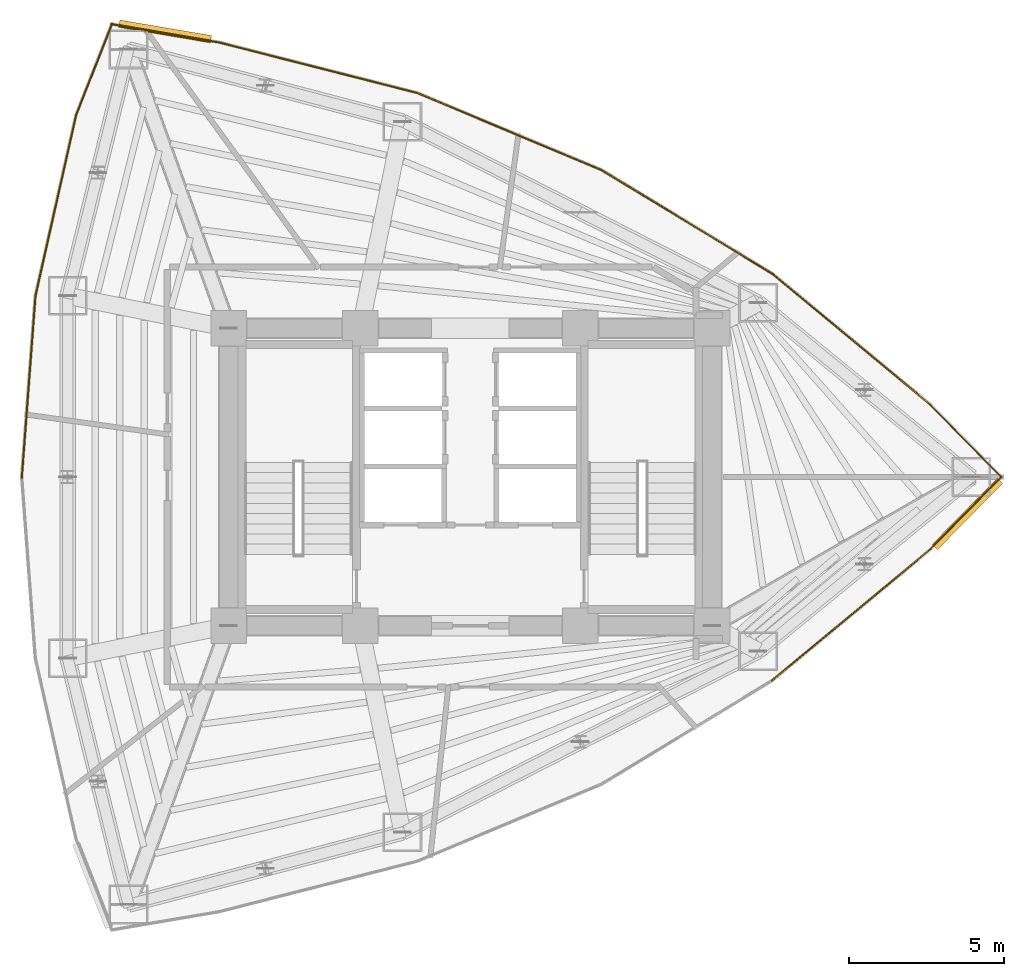
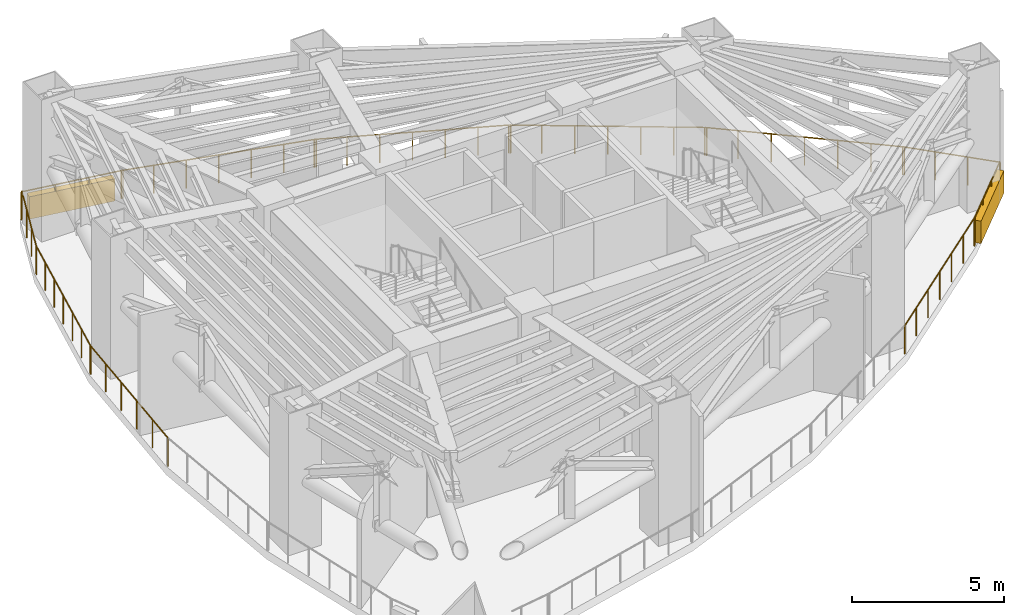
# One storey, part 7 of 7: 11 railings, 2 shading devices.
"""IFC4 building model written with IfcOpenShell, lengths in metres."""

from ifc_helpers import new_model, si_unit, direction, frame, origin, origin_2d, place, context, subcontext, project, spatial, rectangle, circle, extrude, material, layer, layer_set, type_object, element, save


model = new_model("IFC4")

# Units and contexts
model_context = context("Model", 3, precision=1e-05, world=origin(), true_north=direction((0.0, 1.0)))
body_context = subcontext(model_context, "Body", "Model", "MODEL_VIEW")
ifc_project = project(units=[si_unit("LENGTHUNIT", "METRE"), si_unit("AREAUNIT", "SQUARE_METRE"), si_unit("VOLUMEUNIT", "CUBIC_METRE"), si_unit("PLANEANGLEUNIT", "RADIAN"), si_unit("MASSUNIT", "GRAM", prefix="KILO")], contexts=[model_context])

# Site, building, storey
site_placement = place(None, origin())
site = spatial("IfcSite", under=ifc_project, at=site_placement, CompositionType="ELEMENT")
building_placement = place(site_placement, origin())
building = spatial("IfcBuilding", under=site, at=building_placement, Name="Menara Vayukalpa", CompositionType="ELEMENT")
storey_placement = place(building_placement, frame((0.0, 0.0, 83.39990234375)))
storey = spatial("IfcBuildingStorey", under=building, at=storey_placement, Name="L20", CompositionType="ELEMENT", Elevation=83.39990234375)

# Railings
ifc_material_1 = material(Name="Laminated Glass and Stainless Steel 316 Guardrail", Category="steel")
railing_type = type_object("IfcRailingType", Name="RLG-EXT115", PredefinedType="GUARDRAIL", material=ifc_material_1)
railing_1_placement = place(storey_placement, frame((40.4501953125, 19.67578125, 0.0)))
element("IfcRailing", 1, at=railing_1_placement, inside=storey, type_object=railing_type, Name="L20 Wind Floor Perimeter Guardrail 01", PredefinedType="GUARDRAIL", context=body_context, shape_type="SweptSolid", body=[
    extrude(circle(Radius=0.02392578125, at=origin_2d()), frame((0.0, 0.0, 1.1259765625), z_axis=(-0.76975576194, -0.638338520661, 0.0), x_axis=(0.638338520661, -0.76975576194, 0.0)), (0.0, 0.0, 1.0), 6.654541015625),
    extrude(circle(Radius=0.02099609375, at=origin_2d()), origin(), (0.0, 0.0, 1.0), 1.101806640625),
    extrude(circle(Radius=0.02099609375, at=origin_2d()), frame((-0.853759765625, -0.7080078125, 0.0)), (0.0, 0.0, 1.0), 1.101806640625),
    extrude(circle(Radius=0.02099609375, at=origin_2d()), frame((-1.70751953125, -1.416015625, 0.0)), (0.0, 0.0, 1.0), 1.101806640625),
    extrude(circle(Radius=0.02099609375, at=origin_2d()), frame((-2.56103515625, -2.1240234375, 0.0)), (0.0, 0.0, 1.0), 1.101806640625),
    extrude(circle(Radius=0.02099609375, at=origin_2d()), frame((-3.414794921875, -2.831787109375, 0.0)), (0.0, 0.0, 1.0), 1.101806640625),
    extrude(circle(Radius=0.02099609375, at=origin_2d()), frame((-4.2685546875, -3.539794921875, 0.0)), (0.0, 0.0, 1.0), 1.101806640625),
    extrude(circle(Radius=0.02099609375, at=origin_2d()), frame((-5.122314453125, -4.247802734375, 0.0)), (0.0, 0.0, 1.0), 1.101806640625),
])
railing_2_placement = place(storey_placement, frame((11.126220703125, 21.97021484375, 0.0)))
element("IfcRailing", 2, at=railing_2_placement, inside=storey, type_object=railing_type, Name="L20 Wind Floor Perimeter Guardrail 09", PredefinedType="GUARDRAIL", context=body_context, shape_type="SweptSolid", body=[
    extrude(circle(Radius=0.02392578125, at=origin_2d()), frame((0.0, 0.0, 1.1259765625), z_axis=(0.0747735252, 0.997200541481, 0.0), x_axis=(-0.997200541481, 0.0747735252, 0.0)), (0.0, 0.0, 1.0), 5.9130859375),
    extrude(circle(Radius=0.02099609375, at=origin_2d()), origin(), (0.0, 0.0, 1.0), 1.101806640625),
    extrude(circle(Radius=0.02099609375, at=origin_2d()), frame((0.08837890625, 1.17919921875, 0.0)), (0.0, 0.0, 1.0), 1.101806640625),
    extrude(circle(Radius=0.02099609375, at=origin_2d()), frame((0.1767578125, 2.358642578125, 0.0)), (0.0, 0.0, 1.0), 1.101806640625),
    extrude(circle(Radius=0.02099609375, at=origin_2d()), frame((0.265380859375, 3.537841796875, 0.0)), (0.0, 0.0, 1.0), 1.101806640625),
    extrude(circle(Radius=0.02099609375, at=origin_2d()), frame((0.353759765625, 4.71728515625, 0.0)), (0.0, 0.0, 1.0), 1.101806640625),
    extrude(circle(Radius=0.02099609375, at=origin_2d()), frame((0.442138671875, 5.896484375, 0.0)), (0.0, 0.0, 1.0), 1.101806640625),
])
railing_3_placement = place(storey_placement, frame((11.5595703125, 27.8076171875, 0.0)))
element("IfcRailing", 3, at=railing_3_placement, inside=storey, type_object=railing_type, Name="L20 Wind Floor Perimeter Guardrail 10", PredefinedType="GUARDRAIL", context=body_context, shape_type="SweptSolid", body=[
    extrude(circle(Radius=0.02392578125, at=origin_2d()), frame((0.0, 0.0, 1.1259765625), z_axis=(0.219509310912, 0.97561040504, 0.0), x_axis=(-0.97561040504, 0.219509310912, 0.0)), (0.0, 0.0, 1.0), 6.042724609375),
    extrude(circle(Radius=0.02099609375, at=origin_2d()), origin(), (0.0, 0.0, 1.0), 1.101806640625),
    extrude(circle(Radius=0.02099609375, at=origin_2d()), frame((0.22119140625, 0.982421875, 0.0)), (0.0, 0.0, 1.0), 1.101806640625),
    extrude(circle(Radius=0.02099609375, at=origin_2d()), frame((0.442138671875, 1.965087890625, 0.0)), (0.0, 0.0, 1.0), 1.101806640625),
    extrude(circle(Radius=0.02099609375, at=origin_2d()), frame((0.6630859375, 2.94775390625, 0.0)), (0.0, 0.0, 1.0), 1.101806640625),
    extrude(circle(Radius=0.02099609375, at=origin_2d()), frame((0.88427734375, 3.93017578125, 0.0)), (0.0, 0.0, 1.0), 1.101806640625),
    extrude(circle(Radius=0.02099609375, at=origin_2d()), frame((1.10546875, 4.91259765625, 0.0)), (0.0, 0.0, 1.0), 1.101806640625),
    extrude(circle(Radius=0.02099609375, at=origin_2d()), frame((1.326416015625, 5.895263671875, 0.0)), (0.0, 0.0, 1.0), 1.101806640625),
])
railing_4_placement = place(storey_placement, frame((12.868408203125, 33.645751953125, 0.0)))
element("IfcRailing", 4, at=railing_4_placement, inside=storey, type_object=railing_type, Name="L20 Wind Floor Perimeter Guardrail 11", PredefinedType="GUARDRAIL", context=body_context, shape_type="SweptSolid", body=[
    extrude(circle(Radius=0.02392578125, at=origin_2d()), frame((0.0, 0.0, 1.1259765625), z_axis=(0.365527782828, 0.930800429728, 0.0), x_axis=(-0.930800429728, 0.365527782828, 0.0)), (0.0, 0.0, 1.0), 3.21337890625),
    extrude(circle(Radius=0.02099609375, at=origin_2d()), origin(), (0.0, 0.0, 1.0), 1.101806640625),
    extrude(circle(Radius=0.02099609375, at=origin_2d()), frame((0.3916015625, 0.9970703125, 0.0)), (0.0, 0.0, 1.0), 1.101806640625),
    extrude(circle(Radius=0.02099609375, at=origin_2d()), frame((0.782958984375, 1.993896484375, 0.0)), (0.0, 0.0, 1.0), 1.101806640625),
    extrude(circle(Radius=0.02099609375, at=origin_2d()), frame((1.174560546875, 2.990966796875, 0.0)), (0.0, 0.0, 1.0), 1.101806640625),
])
railing_5_placement = place(storey_placement, frame((14.00244140625, 36.61376953125, 0.0)))
element("IfcRailing", 5, at=railing_5_placement, inside=storey, type_object=railing_type, Name="L20 Wind Floor Perimeter Guardrail 12", PredefinedType="GUARDRAIL", context=body_context, shape_type="SweptSolid", body=[
    extrude(circle(Radius=0.02392578125, at=origin_2d()), frame((0.0, 0.0, 1.1259765625), z_axis=(0.985896769388, -0.167354593931, 0.0), x_axis=(0.167354593931, 0.985896769388, 0.0)), (0.0, 0.0, 1.0), 3.57568359375),
    extrude(circle(Radius=0.02099609375, at=origin_2d()), origin(), (0.0, 0.0, 1.0), 1.101806640625),
    extrude(circle(Radius=0.02099609375, at=origin_2d()), frame((1.175048828125, -0.199462890625, 0.0)), (0.0, 0.0, 1.0), 1.101806640625),
    extrude(circle(Radius=0.02099609375, at=origin_2d()), frame((2.35009765625, -0.39892578125, 0.0)), (0.0, 0.0, 1.0), 1.101806640625),
    extrude(circle(Radius=0.02099609375, at=origin_2d()), frame((3.525146484375, -0.598388671875, 0.0)), (0.0, 0.0, 1.0), 1.101806640625),
])
railing_6_placement = place(storey_placement, frame((17.468994140625, 36.02783203125, 0.0)))
element("IfcRailing", 6, at=railing_6_placement, inside=storey, type_object=railing_type, Name="L20 Wind Floor Perimeter Guardrail 13", PredefinedType="GUARDRAIL", context=body_context, shape_type="SweptSolid", body=[
    extrude(circle(Radius=0.02392578125, at=origin_2d()), frame((0.0, 0.0, 1.1259765625), z_axis=(0.968976990921, -0.247150947936, 0.0), x_axis=(0.247150947936, 0.968976990921, 0.0)), (0.0, 0.0, 1.0), 6.655029296875),
    extrude(circle(Radius=0.02099609375, at=origin_2d()), origin(), (0.0, 0.0, 1.0), 1.101806640625),
    extrude(circle(Radius=0.02099609375, at=origin_2d()), frame((1.07470703125, -0.274169921875, 0.0)), (0.0, 0.0, 1.0), 1.101806640625),
    extrude(circle(Radius=0.02099609375, at=origin_2d()), frame((2.1494140625, -0.54833984375, 0.0)), (0.0, 0.0, 1.0), 1.101806640625),
    extrude(circle(Radius=0.02099609375, at=origin_2d()), frame((3.22412109375, -0.822265625, 0.0)), (0.0, 0.0, 1.0), 1.101806640625),
    extrude(circle(Radius=0.02099609375, at=origin_2d()), frame((4.299072265625, -1.096435546875, 0.0)), (0.0, 0.0, 1.0), 1.101806640625),
    extrude(circle(Radius=0.02099609375, at=origin_2d()), frame((5.373779296875, -1.37060546875, 0.0)), (0.0, 0.0, 1.0), 1.101806640625),
    extrude(circle(Radius=0.02099609375, at=origin_2d()), frame((6.448486328125, -1.644775390625, 0.0)), (0.0, 0.0, 1.0), 1.101806640625),
])
railing_7_placement = place(storey_placement, frame((23.860595703125, 34.402099609375, 0.0)))
element("IfcRailing", 7, at=railing_7_placement, inside=storey, type_object=railing_type, Name="L20 Wind Floor Perimeter Guardrail 14", PredefinedType="GUARDRAIL", context=body_context, shape_type="SweptSolid", body=[
    extrude(circle(Radius=0.02392578125, at=origin_2d()), frame((0.0, 0.0, 1.1259765625), z_axis=(0.922537883867, -0.385906533802, 0.0), x_axis=(0.385906533802, 0.922537883867, 0.0)), (0.0, 0.0, 1.0), 6.509765625),
    extrude(circle(Radius=0.02099609375, at=origin_2d()), origin(), (0.0, 0.0, 1.0), 1.101806640625),
    extrude(circle(Radius=0.02099609375, at=origin_2d()), frame((1.0009765625, -0.418701171875, 0.0)), (0.0, 0.0, 1.0), 1.101806640625),
    extrude(circle(Radius=0.02099609375, at=origin_2d()), frame((2.001953125, -0.83740234375, 0.0)), (0.0, 0.0, 1.0), 1.101806640625),
    extrude(circle(Radius=0.02099609375, at=origin_2d()), frame((3.0029296875, -1.256103515625, 0.0)), (0.0, 0.0, 1.0), 1.101806640625),
    extrude(circle(Radius=0.02099609375, at=origin_2d()), frame((4.003662109375, -1.6748046875, 0.0)), (0.0, 0.0, 1.0), 1.101806640625),
    extrude(circle(Radius=0.02099609375, at=origin_2d()), frame((5.004638671875, -2.093505859375, 0.0)), (0.0, 0.0, 1.0), 1.101806640625),
    extrude(circle(Radius=0.02099609375, at=origin_2d()), frame((6.005615234375, -2.51220703125, 0.0)), (0.0, 0.0, 1.0), 1.101806640625),
])
railing_8_placement = place(storey_placement, frame((29.81298828125, 31.917236328125, 0.0)))
element("IfcRailing", 8, at=railing_8_placement, inside=storey, type_object=railing_type, Name="L20 Wind Floor Perimeter Guardrail 15", PredefinedType="GUARDRAIL", context=body_context, shape_type="SweptSolid", body=[
    extrude(circle(Radius=0.02392578125, at=origin_2d()), frame((0.0, 0.0, 1.1259765625), z_axis=(0.85465736355, -0.519192441133, 0.0), x_axis=(0.519192441133, 0.85465736355, 0.0)), (0.0, 0.0, 1.0), 6.509765625),
    extrude(circle(Radius=0.02099609375, at=origin_2d()), origin(), (0.0, 0.0, 1.0), 1.101806640625),
    extrude(circle(Radius=0.02099609375, at=origin_2d()), frame((0.92724609375, -0.563232421875, 0.0)), (0.0, 0.0, 1.0), 1.101806640625),
    extrude(circle(Radius=0.02099609375, at=origin_2d()), frame((1.8544921875, -1.126708984375, 0.0)), (0.0, 0.0, 1.0), 1.101806640625),
    extrude(circle(Radius=0.02099609375, at=origin_2d()), frame((2.78173828125, -1.68994140625, 0.0)), (0.0, 0.0, 1.0), 1.101806640625),
    extrude(circle(Radius=0.02099609375, at=origin_2d()), frame((3.709228515625, -2.253173828125, 0.0)), (0.0, 0.0, 1.0), 1.101806640625),
    extrude(circle(Radius=0.02099609375, at=origin_2d()), frame((4.636474609375, -2.816650390625, 0.0)), (0.0, 0.0, 1.0), 1.101806640625),
    extrude(circle(Radius=0.02099609375, at=origin_2d()), frame((5.563720703125, -3.3798828125, 0.0)), (0.0, 0.0, 1.0), 1.101806640625),
])
railing_9_placement = place(storey_placement, frame((35.327880859375, 28.572021484375, 0.0)))
element("IfcRailing", 9, at=railing_9_placement, inside=storey, type_object=railing_type, Name="L20 Wind Floor Perimeter Guardrail 16", PredefinedType="GUARDRAIL", context=body_context, shape_type="SweptSolid", body=[
    extrude(circle(Radius=0.02392578125, at=origin_2d()), frame((0.0, 0.0, 1.1259765625), z_axis=(0.76975576194, -0.638338520661, 0.0), x_axis=(0.638338520661, 0.76975576194, 0.0)), (0.0, 0.0, 1.0), 6.654541015625),
    extrude(circle(Radius=0.02099609375, at=origin_2d()), origin(), (0.0, 0.0, 1.0), 1.101806640625),
    extrude(circle(Radius=0.02099609375, at=origin_2d()), frame((0.853759765625, -0.7080078125, 0.0)), (0.0, 0.0, 1.0), 1.101806640625),
    extrude(circle(Radius=0.02099609375, at=origin_2d()), frame((1.70751953125, -1.416015625, 0.0)), (0.0, 0.0, 1.0), 1.101806640625),
    extrude(circle(Radius=0.02099609375, at=origin_2d()), frame((2.56103515625, -2.1240234375, 0.0)), (0.0, 0.0, 1.0), 1.101806640625),
    extrude(circle(Radius=0.02099609375, at=origin_2d()), frame((3.414794921875, -2.831787109375, 0.0)), (0.0, 0.0, 1.0), 1.101806640625),
    extrude(circle(Radius=0.02099609375, at=origin_2d()), frame((4.2685546875, -3.539794921875, 0.0)), (0.0, 0.0, 1.0), 1.101806640625),
    extrude(circle(Radius=0.02099609375, at=origin_2d()), frame((5.122314453125, -4.247802734375, 0.0)), (0.0, 0.0, 1.0), 1.101806640625),
])
railing_10_placement = place(storey_placement, frame((40.406005859375, 24.364990234375, 0.0)))
element("IfcRailing", 10, at=railing_10_placement, inside=storey, type_object=railing_type, Name="L20 Wind Floor Perimeter Guardrail 17", PredefinedType="GUARDRAIL", context=body_context, shape_type="SweptSolid", body=[
    extrude(circle(Radius=0.02392578125, at=origin_2d()), frame((0.0, 0.0, 1.1259765625), z_axis=(0.70054276926, -0.713610417832, 0.0), x_axis=(0.713610417832, 0.70054276926, 0.0)), (0.0, 0.0, 1.0), 3.34423828125),
    extrude(circle(Radius=0.02099609375, at=origin_2d()), origin(), (0.0, 0.0, 1.0), 1.101806640625),
    extrude(circle(Radius=0.02099609375, at=origin_2d()), frame((0.781005859375, -0.79541015625, 0.0)), (0.0, 0.0, 1.0), 1.101806640625),
    extrude(circle(Radius=0.02099609375, at=origin_2d()), frame((1.561767578125, -1.591064453125, 0.0)), (0.0, 0.0, 1.0), 1.101806640625),
    extrude(circle(Radius=0.02099609375, at=origin_2d()), frame((2.3427734375, -2.386474609375, 0.0)), (0.0, 0.0, 1.0), 1.101806640625),
])
railing_11_placement = place(storey_placement, frame((42.748779296875, 22.021484375, 0.0)))
element("IfcRailing", 11, at=railing_11_placement, inside=storey, type_object=railing_type, Name="L20 Wind Floor Perimeter Guardrail 18", PredefinedType="GUARDRAIL", context=body_context, shape_type="SweptSolid", body=[
    extrude(circle(Radius=0.02392578125, at=origin_2d()), frame((0.0, 0.0, 1.1259765625), z_axis=(-0.70054276926, -0.713610417832, 0.0), x_axis=(0.713610417832, -0.70054276926, 0.0)), (0.0, 0.0, 1.0), 3.34423828125),
    extrude(circle(Radius=0.02099609375, at=origin_2d()), origin(), (0.0, 0.0, 1.0), 1.101806640625),
    extrude(circle(Radius=0.02099609375, at=origin_2d()), frame((-0.781005859375, -0.79541015625, 0.0)), (0.0, 0.0, 1.0), 1.101806640625),
    extrude(circle(Radius=0.02099609375, at=origin_2d()), frame((-1.561767578125, -1.591064453125, 0.0)), (0.0, 0.0, 1.0), 1.101806640625),
    extrude(circle(Radius=0.02099609375, at=origin_2d()), frame((-2.3427734375, -2.386474609375, 0.0)), (0.0, 0.0, 1.0), 1.101806640625),
])

# Shading devices
ifc_material_2 = material(Name="Anodised Terracotta Aluminium Acoustic Louvre", Category="masonry")
ifc_layer = layer(ifc_material_2, 0.280029296875)
ifc_layer_set = layer_set([ifc_layer], Name="Anodised Terracotta Aluminium Acoustic Louvre")
shading_device_type = type_object("IfcShadingDeviceType", Name="SHD-LV1", PredefinedType="JALOUSIE", material=ifc_layer_set)
for number, where, z_axis, x_axis, name in (
    (12, (41.639892578125, 20.80615234375, 0.000244140625), (0.0, 0.0, 1.0), (0.700573075133, 0.713580665657, 0.0), "L20 Wind Floor Acoustic Louvre Screen 01"),
    (13, (15.752197265625, 36.37744140625, 0.000244140625), (0.0, 0.0, 1.0), (-0.985896900907, 0.167353819146, 0.0), "L20 Wind Floor Acoustic Louvre Screen 07"),
):
    element("IfcShadingDevice", number, at=place(storey_placement, frame(where, z_axis=z_axis, x_axis=x_axis)), inside=storey, type_object=shading_device_type, Name=name, PredefinedType="JALOUSIE", context=body_context, shape_type="SweptSolid", body=[
        extrude(rectangle(XDim=3.0, YDim=0.239990234375, at=origin_2d()), origin(), (0.0, 0.0, 1.0), 0.89990234375),
    ])

save(model, "model.ifc")
